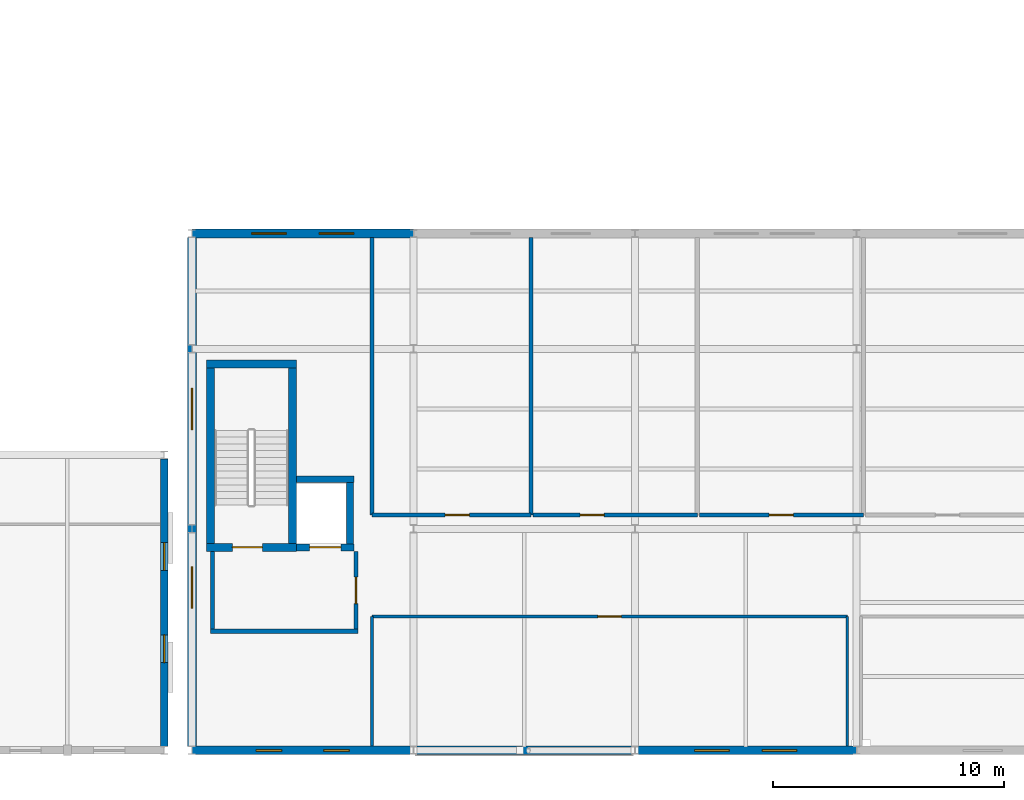
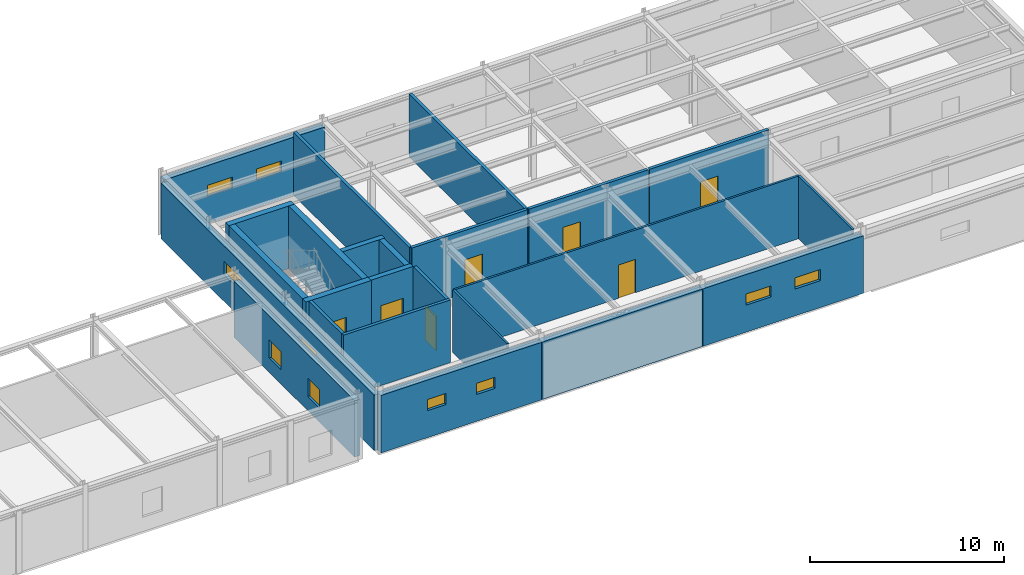
# One storey, part 88 of 99: 24 walls, 10 windows, 7 doors, 17 openings.
"""IFC4 building model written with IfcOpenShell, lengths in metres."""

from ifc_helpers import new_model, si_unit, direction, frame, frame_2d, origin, place, context, subcontext, project, spatial, rectangle, extrude, material, layer, layer_set, type_object, element, fill, save


model = new_model("IFC4")

# Units and contexts
model_context = context("Model", 3, precision=1e-05, world=origin(), true_north=direction((0.0, 1.0)))
body_context = subcontext(model_context, "Body", "Model", "MODEL_VIEW")
ifc_project = project(units=[si_unit("LENGTHUNIT", "METRE"), si_unit("AREAUNIT", "SQUARE_METRE"), si_unit("VOLUMEUNIT", "CUBIC_METRE"), si_unit("PLANEANGLEUNIT", "RADIAN"), si_unit("MASSUNIT", "GRAM", prefix="KILO")], contexts=[model_context])

# Site, building, storey
site_placement = place(None, origin())
site = spatial("IfcSite", under=ifc_project, at=site_placement, CompositionType="ELEMENT")
building_placement = place(site_placement, origin())
building = spatial("IfcBuilding", under=site, at=building_placement, Name="Nordkorset Police Headquarters", CompositionType="ELEMENT")
storey_placement = place(building_placement, frame((0.0, 0.0, 5.25)))
storey = spatial("IfcBuildingStorey", under=building, at=storey_placement, Name="L01", CompositionType="ELEMENT", Elevation=5.25)

# Walls
ifc_material_1 = material(Name="Gypsum board", Category="gypsum")
ifc_layer_1 = layer(ifc_material_1, 0.179931640625, Name="Gypsum board")
ifc_layer_set_1 = layer_set([ifc_layer_1], Name="Gypsum board")
wall_type_1 = type_object("IfcWallType", Name="Wall_Comp_180", PredefinedType="PARTITIONING", material=ifc_layer_set_1)
wall_1_placement = place(storey_placement, frame((127.199951171875, 5.159912109375, 0.0), z_axis=(0.0, 0.0, 1.0), x_axis=(1.0, 0.0, 0.0)))
element("IfcWall", 1, at=wall_1_placement, inside=storey, type_object=wall_type_1, Name="Firefighting Lobby EI 60 Wall K6 L01 S", PredefinedType="PARTITIONING", context=body_context, shape_type="SweptSolid", body=[
    extrude(rectangle(XDim=6.400146484375, YDim=0.179931640625, at=frame_2d((3.2001953125, 0.0))), origin(), (0.0, 0.0, 1.0), 3.9599609375),
])
wall_2_placement = place(storey_placement, frame((127.2900390625, 5.25, 0.0), z_axis=(0.0, 0.0, 1.0), x_axis=(0.0, 1.0, 0.0)))
element("IfcWall", 2, at=wall_2_placement, inside=storey, type_object=wall_type_1, Name="Firefighting Lobby EI 60 Wall K6 L01 W", PredefinedType="PARTITIONING", context=body_context, shape_type="SweptSolid", body=[
    extrude(rectangle(XDim=3.375, YDim=0.179931640625, at=frame_2d((1.6875, 0.0))), origin(), (0.0, 0.0, 1.0), 3.9599609375),
])

# Wall, opening, door
wall_3_placement = place(storey_placement, frame((133.510009765625, 5.25, 0.0), z_axis=(0.0, 0.0, 1.0), x_axis=(0.0, 1.0, 0.0)))
wall_3 = element("IfcWall", 3, at=wall_3_placement, inside=storey, type_object=wall_type_1, Name="Firefighting Lobby EI 60 Wall K6 L01 E", PredefinedType="PARTITIONING", context=body_context, shape_type="SweptSolid", body=[
    extrude(rectangle(XDim=3.375, YDim=0.179931640625, at=frame_2d((1.6875, 0.0))), origin(), (0.0, 0.0, 1.0), 3.9599609375),
])
opening_1_placement = place(wall_3_placement, frame((1.112548828125, 0.0, 0.0)))
opening_1 = element("IfcOpeningElement", 4, at=opening_1_placement, cuts=wall_3, Name="Opening DR-01", PredefinedType="OPENING", context=body_context, shape_type="SweptSolid", body=[
    extrude(rectangle(XDim=1.14990234375, YDim=2.14990234375, at=frame_2d((0.574951171875, 1.074951171875))), frame((0.0, 0.10009765625, 0.0), z_axis=(0.0, -1.0, 0.0), x_axis=(1.0, 0.0, 0.0)), (0.0, 0.0, 1.0), 0.199951171875),
])
ifc_material_2 = material(Name="Steel S355J2", Category="steel")
door_type_1 = type_object("IfcDoorType", Name="Door_LobbySingle_1150x2150", OperationType="NOTDEFINED", PredefinedType="DOOR", material=ifc_material_2)
door_1_placement = place(opening_1_placement, origin())
door_1 = element("IfcDoor", 5, at=door_1_placement, inside=storey, type_object=door_type_1, Name="Firefighting Lobby Smoke Door K6 L01 E", OperationType="SINGLE_SWING_LEFT", OverallHeight=2.14990234375, OverallWidth=1.14990234375, PredefinedType="DOOR", context=body_context, shape_type="SweptSolid", body=[
    extrude(rectangle(XDim=1.14990234375, YDim=2.14990234375, at=frame_2d((0.574951171875, 1.074951171875))), frame((0.0, 0.02490234375, 0.0), z_axis=(0.0, -1.0, 0.0), x_axis=(1.0, 0.0, 0.0)), (0.0, 0.0, 1.0), 0.050048828125),
])
fill(opening_1, door_1)

wall_4_placement = place(storey_placement, frame((134.199951171875, 10.199951171875, 0.0), z_axis=(0.0, 0.0, 1.0), x_axis=(1.0, 0.0, 0.0)))
wall_4 = element("IfcWall", 6, at=wall_4_placement, inside=storey, type_object=wall_type_1, Name="Interior Partition Wall Detention Cell 04", PredefinedType="PARTITIONING", context=body_context, shape_type="SweptSolid", body=[
    extrude(rectangle(XDim=6.900146484375, YDim=0.179931640625, at=frame_2d((3.4501953125, 0.0))), origin(), (0.0, 0.0, 1.0), 3.9599609375),
])
opening_2_placement = place(wall_4_placement, frame((3.175048828125, 0.0, 0.0)))
opening_2 = element("IfcOpeningElement", 7, at=opening_2_placement, cuts=wall_4, Name="Opening DR-24", PredefinedType="OPENING", context=body_context, shape_type="SweptSolid", body=[
    extrude(rectangle(XDim=1.050048828125, YDim=2.10009765625, at=frame_2d((0.52490234375, 1.050048828125))), frame((0.0, 0.10009765625, 0.0), z_axis=(0.0, -1.0, 0.0), x_axis=(1.0, 0.0, 0.0)), (0.0, 0.0, 1.0), 0.199951171875),
])
ifc_material_3 = material(Name="Steel S355J2", Category="steel")
door_type_2 = type_object("IfcDoorType", Name="Door_CustodyCell_1050x2100", OperationType="NOTDEFINED", PredefinedType="DOOR", material=ifc_material_3)
door_2_placement = place(opening_2_placement, frame((1.050048828125, 0.0, 0.0), z_axis=(0.0, 0.0, 1.0), x_axis=(-1.0, 0.0, 0.0)))
door_2 = element("IfcDoor", 8, at=door_2_placement, inside=storey, type_object=door_type_2, Name="Interior Door Detention Cell 04", OperationType="SINGLE_SWING_RIGHT", OverallHeight=2.10009765625, OverallWidth=1.050048828125, PredefinedType="DOOR", context=body_context, shape_type="SweptSolid", body=[
    extrude(rectangle(XDim=1.050048828125, YDim=2.10009765625, at=frame_2d((0.52490234375, 1.050048828125))), frame((0.0, 0.02490234375, 0.0), z_axis=(0.0, -1.0, 0.0), x_axis=(1.0, 0.0, 0.0)), (0.0, 0.0, 1.0), 0.050048828125),
])
fill(opening_2, door_2)

# Walls
for number, where, z_axis, x_axis, name in (
    (9, (141.10009765625, 10.199951171875, 0.0), (0.0, 0.0, 1.0), (0.0, 1.0, 0.0), "Interior Partition Wall Detention Cell 04"),
    (10, (134.199951171875, 22.215087890625, 0.0), (0.0, 0.0, 1.0), (0.0, -1.0, 0.0), "Interior Partition Wall Detention Cell 04"),
):
    element("IfcWall", number, at=place(storey_placement, frame(where, z_axis=z_axis, x_axis=x_axis)), inside=storey, type_object=wall_type_1, Name=name, PredefinedType="PARTITIONING", context=body_context, shape_type="SweptSolid", body=[
        extrude(rectangle(XDim=12.01513671875, YDim=0.179931640625, at=frame_2d((6.007568359375, 0.0))), origin(), (0.0, 0.0, 1.0), 3.9599609375),
    ])

# Wall, opening, door
wall_5_placement = place(storey_placement, frame((141.18505859375, 10.199951171875, 0.0), z_axis=(0.0, 0.0, 1.0), x_axis=(1.0, 0.0, 0.0)))
wall_5 = element("IfcWall", 11, at=wall_5_placement, inside=storey, type_object=wall_type_1, Name="Interior Partition Wall Detention Cell 05", PredefinedType="PARTITIONING", context=body_context, shape_type="SweptSolid", body=[
    extrude(rectangle(XDim=7.114990234375, YDim=0.179931640625, at=frame_2d((3.5576171875, 0.0))), origin(), (0.0, 0.0, 1.0), 3.9599609375),
])
opening_3_placement = place(wall_5_placement, frame((2.032470703125, 0.0, 0.0)))
opening_3 = element("IfcOpeningElement", 12, at=opening_3_placement, cuts=wall_5, Name="Opening DR-24", PredefinedType="OPENING", context=body_context, shape_type="SweptSolid", body=[
    extrude(rectangle(XDim=1.050048828125, YDim=2.10009765625, at=frame_2d((0.52490234375, 1.050048828125))), frame((0.0, 0.10009765625, 0.0), z_axis=(0.0, -1.0, 0.0), x_axis=(1.0, 0.0, 0.0)), (0.0, 0.0, 1.0), 0.199951171875),
])
door_3_placement = place(opening_3_placement, origin())
door_3 = element("IfcDoor", 13, at=door_3_placement, inside=storey, type_object=door_type_2, Name="Interior Door Detention Cell 05", OperationType="SINGLE_SWING_LEFT", OverallHeight=2.10009765625, OverallWidth=1.050048828125, PredefinedType="DOOR", context=body_context, shape_type="SweptSolid", body=[
    extrude(rectangle(XDim=1.050048828125, YDim=2.10009765625, at=frame_2d((0.52490234375, 1.050048828125))), frame((0.0, 0.02490234375, 0.0), z_axis=(0.0, -1.0, 0.0), x_axis=(1.0, 0.0, 0.0)), (0.0, 0.0, 1.0), 0.050048828125),
])
fill(opening_3, door_3)

wall_6_placement = place(storey_placement, frame((148.385009765625, 10.199951171875, 0.0), z_axis=(0.0, 0.0, 1.0), x_axis=(1.0, 0.0, 0.0)))
wall_6 = element("IfcWall", 14, at=wall_6_placement, inside=storey, type_object=wall_type_1, Name="Interior Partition Wall Detention Cell 06", PredefinedType="PARTITIONING", context=body_context, shape_type="SweptSolid", body=[
    extrude(rectangle(XDim=7.114990234375, YDim=0.179931640625, at=frame_2d((3.5576171875, 0.0))), origin(), (0.0, 0.0, 1.0), 3.9599609375),
])
opening_4_placement = place(wall_6_placement, frame((3.032470703125, 0.0, 0.0)))
opening_4 = element("IfcOpeningElement", 15, at=opening_4_placement, cuts=wall_6, Name="Opening DR-24", PredefinedType="OPENING", context=body_context, shape_type="SweptSolid", body=[
    extrude(rectangle(XDim=1.050048828125, YDim=2.10009765625, at=frame_2d((0.52490234375, 1.050048828125))), frame((0.0, 0.10009765625, 0.0), z_axis=(0.0, -1.0, 0.0), x_axis=(1.0, 0.0, 0.0)), (0.0, 0.0, 1.0), 0.199951171875),
])
door_4_placement = place(opening_4_placement, frame((1.050048828125, 0.0, 0.0), z_axis=(0.0, 0.0, 1.0), x_axis=(-1.0, 0.0, 0.0)))
door_4 = element("IfcDoor", 16, at=door_4_placement, inside=storey, type_object=door_type_2, Name="Interior Door Detention Cell 06", OperationType="SINGLE_SWING_RIGHT", OverallHeight=2.10009765625, OverallWidth=1.050048828125, PredefinedType="DOOR", context=body_context, shape_type="SweptSolid", body=[
    extrude(rectangle(XDim=1.050048828125, YDim=2.10009765625, at=frame_2d((0.52490234375, 1.050048828125))), frame((0.0, 0.02490234375, 0.0), z_axis=(0.0, -1.0, 0.0), x_axis=(1.0, 0.0, 0.0)), (0.0, 0.0, 1.0), 0.050048828125),
])
fill(opening_4, door_4)

ifc_material_4 = material(Name="Concrete C35/45", Category="concrete")
ifc_layer_2 = layer(ifc_material_4, 0.35009765625, Name="Concrete C35/45")
ifc_layer_set_2 = layer_set([ifc_layer_2], Name="Concrete C35/45")
wall_type_2 = type_object("IfcWallType", Name="Wall_CoreShear_350", PredefinedType="SHEAR", material=ifc_layer_set_2)
wall_7_placement = place(storey_placement, frame((127.02490234375, 8.800048828125, 0.0), z_axis=(0.0, 0.0, 1.0), x_axis=(1.0, 0.0, 0.0)))
wall_7 = element("IfcWall", 17, at=wall_7_placement, inside=storey, type_object=wall_type_2, Name="Core K6 Stair Shaft South Shear Wall L01", PredefinedType="SHEAR", context=body_context, shape_type="SweptSolid", body=[
    extrude(rectangle(XDim=3.900146484375, YDim=0.35009765625, at=frame_2d((1.9501953125, 0.0))), origin(), (0.0, 0.0, 1.0), 3.9599609375),
])
opening_5_placement = place(wall_7_placement, frame((1.125, 0.0, 0.0)))
opening_5 = element("IfcOpeningElement", 18, at=opening_5_placement, cuts=wall_7, Name="Opening DR-20", PredefinedType="OPENING", context=body_context, shape_type="SweptSolid", body=[
    extrude(rectangle(XDim=1.300048828125, YDim=2.14990234375, at=frame_2d((0.64990234375, 1.074951171875))), frame((0.0, 0.18505859375, 0.0), z_axis=(0.0, -1.0, 0.0), x_axis=(1.0, 0.0, 0.0)), (0.0, 0.0, 1.0), 0.3701171875),
])
ifc_material_5 = material(Name="Steel S355J2", Category="steel")
door_type_3 = type_object("IfcDoorType", Name="Door_Stair_1300x2150", OperationType="NOTDEFINED", PredefinedType="DOOR", material=ifc_material_5)
door_5_placement = place(opening_5_placement, frame((1.300048828125, 0.0, 0.0), z_axis=(0.0, 0.0, 1.0), x_axis=(-1.0, 0.0, 0.0)))
door_5 = element("IfcDoor", 19, at=door_5_placement, inside=storey, type_object=door_type_3, Name="Protected Stair Fire Door ST-06 L01", OperationType="SINGLE_SWING_RIGHT", OverallHeight=2.14990234375, OverallWidth=1.300048828125, PredefinedType="DOOR", context=body_context, shape_type="SweptSolid", body=[
    extrude(rectangle(XDim=1.300048828125, YDim=2.14990234375, at=frame_2d((0.64990234375, 1.074951171875))), frame((0.0, 0.02490234375, 0.0), z_axis=(0.0, -1.0, 0.0), x_axis=(1.0, 0.0, 0.0)), (0.0, 0.0, 1.0), 0.050048828125),
])
fill(opening_5, door_5)

# Walls
wall_8_placement = place(storey_placement, frame((127.02490234375, 16.75, 0.0), z_axis=(0.0, 0.0, 1.0), x_axis=(1.0, 0.0, 0.0)))
element("IfcWall", 20, at=wall_8_placement, inside=storey, type_object=wall_type_2, Name="Core K6 Stair Shaft North Shear Wall L01", PredefinedType="SHEAR", context=body_context, shape_type="SweptSolid", body=[
    extrude(rectangle(XDim=3.900146484375, YDim=0.35009765625, at=frame_2d((1.9501953125, 0.0))), origin(), (0.0, 0.0, 1.0), 3.9599609375),
])
for number, where, z_axis, x_axis, name in (
    (21, (127.199951171875, 8.97509765625, 0.0), (0.0, 0.0, 1.0), (0.0, 1.0, 0.0), "Core K6 Stair Shaft West Shear Wall L01"),
    (22, (130.75, 8.97509765625, 0.0), (0.0, 0.0, 1.0), (0.0, 1.0, 0.0), "Core K6 Stair Shaft East Shear Wall L01"),
):
    element("IfcWall", number, at=place(storey_placement, frame(where, z_axis=z_axis, x_axis=x_axis)), inside=storey, type_object=wall_type_2, Name=name, PredefinedType="SHEAR", context=body_context, shape_type="SweptSolid", body=[
        extrude(rectangle(XDim=7.599853515625, YDim=0.35009765625, at=frame_2d((3.7998046875, 0.0))), origin(), (0.0, 0.0, 1.0), 3.9599609375),
    ])

# Wall, openings, windows
ifc_material_6 = material(Name="Precast concrete C40/50", Category="concrete")
ifc_layer_3 = layer(ifc_material_6, 0.3798828125, Name="Precast concrete C40/50")
ifc_layer_set_3 = layer_set([ifc_layer_3], Name="Precast concrete C40/50")
wall_type_3 = type_object("IfcWallType", Name="Wall_ExtCustody_380", PredefinedType="SOLIDWALL", material=ifc_layer_set_3)
wall_9_placement = place(storey_placement, frame((126.407958984375, 0.0, 0.0), z_axis=(0.0, 0.0, 1.0), x_axis=(1.0, 0.0, 0.0)))
wall_9 = element("IfcWall", 23, at=wall_9_placement, inside=storey, type_object=wall_type_3, Name="Exterior Insulated Precast Wall L01 V6S-0", PredefinedType="SOLIDWALL", context=body_context, shape_type="SweptSolid", body=[
    extrude(rectangle(XDim=9.583984375, YDim=0.3798828125, at=frame_2d((4.7919921875, 0.0))), origin(), (0.0, 0.0, 1.0), 3.6298828125),
])
opening_6_placement = place(wall_9_placement, frame((2.775390625, 0.0, 1.699951171875)))
opening_6 = element("IfcOpeningElement", 24, at=opening_6_placement, cuts=wall_9, Name="Opening WN-11", PredefinedType="OPENING", context=body_context, shape_type="SweptSolid", body=[
    extrude(rectangle(XDim=1.10009765625, YDim=0.699951171875, at=frame_2d((0.550048828125, 0.35009765625))), frame((0.0, 0.199951171875, 0.0), z_axis=(0.0, -1.0, 0.0), x_axis=(1.0, 0.0, 0.0)), (0.0, 0.0, 1.0), 0.39990234375),
])
opening_7_placement = place(wall_9_placement, frame((5.708740234375, 0.0, 1.699951171875)))
opening_7 = element("IfcOpeningElement", 25, at=opening_7_placement, cuts=wall_9, Name="Opening WN-11", PredefinedType="OPENING", context=body_context, shape_type="SweptSolid", body=[
    extrude(rectangle(XDim=1.10009765625, YDim=0.699951171875, at=frame_2d((0.550048828125, 0.35009765625))), frame((0.0, 0.199951171875, 0.0), z_axis=(0.0, -1.0, 0.0), x_axis=(1.0, 0.0, 0.0)), (0.0, 0.0, 1.0), 0.39990234375),
])
ifc_material_7 = material(Name="Low-iron triple glazing", Category="glass")
window_type_1 = type_object("IfcWindowType", Name="Win_1100x700", PartitioningType="SINGLE_PANEL", PredefinedType="WINDOW", material=ifc_material_7)
window_1_placement = place(opening_6_placement, origin())
window_1 = element("IfcWindow", 26, at=window_1_placement, inside=storey, type_object=window_type_1, Name="Triple-Glazed Exterior Window L01 V6S-0-1", OverallHeight=0.699951171875, OverallWidth=1.10009765625, PartitioningType="SINGLE_PANEL", PredefinedType="WINDOW", context=body_context, shape_type="SweptSolid", body=[
    extrude(rectangle(XDim=1.10009765625, YDim=0.699951171875, at=frame_2d((0.550048828125, 0.35009765625))), frame((0.0, 0.030029296875, 0.0), z_axis=(0.0, -1.0, 0.0), x_axis=(1.0, 0.0, 0.0)), (0.0, 0.0, 1.0), 0.06005859375),
])
fill(opening_6, window_1)
window_2_placement = place(opening_7_placement, origin())
window_2 = element("IfcWindow", 27, at=window_2_placement, inside=storey, type_object=window_type_1, Name="Triple-Glazed Exterior Window L01 V6S-0-2", OverallHeight=0.699951171875, OverallWidth=1.10009765625, PartitioningType="SINGLE_PANEL", PredefinedType="WINDOW", context=body_context, shape_type="SweptSolid", body=[
    extrude(rectangle(XDim=1.10009765625, YDim=0.699951171875, at=frame_2d((0.550048828125, 0.35009765625))), frame((0.0, 0.030029296875, 0.0), z_axis=(0.0, -1.0, 0.0), x_axis=(1.0, 0.0, 0.0)), (0.0, 0.0, 1.0), 0.06005859375),
])
fill(opening_7, window_2)

wall_10_placement = place(storey_placement, frame((126.407958984375, 22.39990234375, 0.0), z_axis=(0.0, 0.0, 1.0), x_axis=(1.0, 0.0, 0.0)))
wall_10 = element("IfcWall", 28, at=wall_10_placement, inside=storey, type_object=wall_type_3, Name="Exterior Insulated Precast Wall L01 V6N-0", PredefinedType="SOLIDWALL", context=body_context, shape_type="SweptSolid", body=[
    extrude(rectangle(XDim=9.583984375, YDim=0.3798828125, at=frame_2d((4.7919921875, 0.0))), origin(), (0.0, 0.0, 1.0), 3.635009765625),
])
opening_8_placement = place(wall_10_placement, frame((2.5751953125, 0.0, 1.699951171875)))
opening_8 = element("IfcOpeningElement", 29, at=opening_8_placement, cuts=wall_10, Name="Opening WN-25", PredefinedType="OPENING", context=body_context, shape_type="SweptSolid", body=[
    extrude(rectangle(XDim=1.5, YDim=0.699951171875, at=frame_2d((0.75, 0.35009765625))), frame((0.0, 0.199951171875, 0.0), z_axis=(0.0, -1.0, 0.0), x_axis=(1.0, 0.0, 0.0)), (0.0, 0.0, 1.0), 0.39990234375),
])
opening_9_placement = place(wall_10_placement, frame((5.5087890625, 0.0, 1.699951171875)))
opening_9 = element("IfcOpeningElement", 30, at=opening_9_placement, cuts=wall_10, Name="Opening WN-25", PredefinedType="OPENING", context=body_context, shape_type="SweptSolid", body=[
    extrude(rectangle(XDim=1.5, YDim=0.699951171875, at=frame_2d((0.75, 0.35009765625))), frame((0.0, 0.199951171875, 0.0), z_axis=(0.0, -1.0, 0.0), x_axis=(1.0, 0.0, 0.0)), (0.0, 0.0, 1.0), 0.39990234375),
])
ifc_material_8 = material(Name="Low-iron triple glazing", Category="glass")
window_type_2 = type_object("IfcWindowType", Name="Win_1500x700", PartitioningType="SINGLE_PANEL", PredefinedType="WINDOW", material=ifc_material_8)
window_3_placement = place(opening_8_placement, origin())
window_3 = element("IfcWindow", 31, at=window_3_placement, inside=storey, type_object=window_type_2, Name="Triple-Glazed Exterior Window L01 V6N-0-1", OverallHeight=0.699951171875, OverallWidth=1.5, PartitioningType="SINGLE_PANEL", PredefinedType="WINDOW", context=body_context, shape_type="SweptSolid", body=[
    extrude(rectangle(XDim=1.5, YDim=0.699951171875, at=frame_2d((0.75, 0.35009765625))), frame((0.0, 0.030029296875, 0.0), z_axis=(0.0, -1.0, 0.0), x_axis=(1.0, 0.0, 0.0)), (0.0, 0.0, 1.0), 0.06005859375),
])
fill(opening_8, window_3)
window_4_placement = place(opening_9_placement, origin())
window_4 = element("IfcWindow", 32, at=window_4_placement, inside=storey, type_object=window_type_2, Name="Triple-Glazed Exterior Window L01 V6N-0-2", OverallHeight=0.699951171875, OverallWidth=1.5, PartitioningType="SINGLE_PANEL", PredefinedType="WINDOW", context=body_context, shape_type="SweptSolid", body=[
    extrude(rectangle(XDim=1.5, YDim=0.699951171875, at=frame_2d((0.75, 0.35009765625))), frame((0.0, 0.030029296875, 0.0), z_axis=(0.0, -1.0, 0.0), x_axis=(1.0, 0.0, 0.0)), (0.0, 0.0, 1.0), 0.06005859375),
])
fill(opening_9, window_4)

# Wall
wall_11_placement = place(storey_placement, frame((136.008056640625, 0.0, 0.0), z_axis=(0.0, 0.0, 1.0), x_axis=(1.0, 0.0, 0.0)))
element("IfcWall", 33, at=wall_11_placement, inside=storey, type_object=wall_type_3, Name="Exterior Insulated Precast Wall L01 V6S-1", PredefinedType="SOLIDWALL", context=body_context, shape_type="SweptSolid", body=[
    extrude(rectangle(XDim=9.583984375, YDim=0.3798828125, at=frame_2d((4.7919921875, 0.0))), origin(), (0.0, 0.0, 1.0), 3.6298828125),
])

# Wall, openings, windows
wall_12_placement = place(storey_placement, frame((145.60791015625, 0.0, 0.0), z_axis=(0.0, 0.0, 1.0), x_axis=(1.0, 0.0, 0.0)))
wall_12 = element("IfcWall", 34, at=wall_12_placement, inside=storey, type_object=wall_type_3, Name="Exterior Insulated Precast Wall L01 V6S-2", PredefinedType="SOLIDWALL", context=body_context, shape_type="SweptSolid", body=[
    extrude(rectangle(XDim=9.583984375, YDim=0.3798828125, at=frame_2d((4.7919921875, 0.0))), origin(), (0.0, 0.0, 1.0), 3.6298828125),
])
opening_10_placement = place(wall_12_placement, frame((2.5751953125, 0.0, 1.699951171875)))
opening_10 = element("IfcOpeningElement", 35, at=opening_10_placement, cuts=wall_12, Name="Opening WN-25", PredefinedType="OPENING", context=body_context, shape_type="SweptSolid", body=[
    extrude(rectangle(XDim=1.5, YDim=0.699951171875, at=frame_2d((0.75, 0.35009765625))), frame((0.0, 0.199951171875, 0.0), z_axis=(0.0, -1.0, 0.0), x_axis=(1.0, 0.0, 0.0)), (0.0, 0.0, 1.0), 0.39990234375),
])
opening_11_placement = place(wall_12_placement, frame((5.5087890625, 0.0, 1.699951171875)))
opening_11 = element("IfcOpeningElement", 36, at=opening_11_placement, cuts=wall_12, Name="Opening WN-25", PredefinedType="OPENING", context=body_context, shape_type="SweptSolid", body=[
    extrude(rectangle(XDim=1.5, YDim=0.699951171875, at=frame_2d((0.75, 0.35009765625))), frame((0.0, 0.199951171875, 0.0), z_axis=(0.0, -1.0, 0.0), x_axis=(1.0, 0.0, 0.0)), (0.0, 0.0, 1.0), 0.39990234375),
])
window_5_placement = place(opening_10_placement, origin())
window_5 = element("IfcWindow", 37, at=window_5_placement, inside=storey, type_object=window_type_2, Name="Triple-Glazed Exterior Window L01 V6S-2-1", OverallHeight=0.699951171875, OverallWidth=1.5, PartitioningType="SINGLE_PANEL", PredefinedType="WINDOW", context=body_context, shape_type="SweptSolid", body=[
    extrude(rectangle(XDim=1.5, YDim=0.699951171875, at=frame_2d((0.75, 0.35009765625))), frame((0.0, 0.030029296875, 0.0), z_axis=(0.0, -1.0, 0.0), x_axis=(1.0, 0.0, 0.0)), (0.0, 0.0, 1.0), 0.06005859375),
])
fill(opening_10, window_5)
window_6_placement = place(opening_11_placement, origin())
window_6 = element("IfcWindow", 38, at=window_6_placement, inside=storey, type_object=window_type_2, Name="Triple-Glazed Exterior Window L01 V6S-2-2", OverallHeight=0.699951171875, OverallWidth=1.5, PartitioningType="SINGLE_PANEL", PredefinedType="WINDOW", context=body_context, shape_type="SweptSolid", body=[
    extrude(rectangle(XDim=1.5, YDim=0.699951171875, at=frame_2d((0.75, 0.35009765625))), frame((0.0, 0.030029296875, 0.0), z_axis=(0.0, -1.0, 0.0), x_axis=(1.0, 0.0, 0.0)), (0.0, 0.0, 1.0), 0.06005859375),
])
fill(opening_11, window_6)

wall_13_placement = place(storey_placement, frame((126.39990234375, 0.172119140625, 0.0), z_axis=(0.0, 0.0, 1.0), x_axis=(0.0, 1.0, 0.0)))
wall_13 = element("IfcWall", 39, at=wall_13_placement, inside=storey, type_object=wall_type_3, Name="Exterior Insulated Precast Wall L01 V6W-0", PredefinedType="SOLIDWALL", context=body_context, shape_type="SweptSolid", body=[
    extrude(rectangle(XDim=22.055908203125, YDim=0.3798828125, at=frame_2d((11.02783203125, 0.0))), origin(), (0.0, 0.0, 1.0), 3.5),
])
opening_12_placement = place(wall_13_placement, frame((5.97802734375, 0.0, 1.699951171875)))
opening_12 = element("IfcOpeningElement", 40, at=opening_12_placement, cuts=wall_13, Name="Opening WN-44", PredefinedType="OPENING", context=body_context, shape_type="SweptSolid", body=[
    extrude(rectangle(XDim=1.800048828125, YDim=0.85009765625, at=frame_2d((0.89990234375, 0.425048828125))), frame((0.0, 0.199951171875, 0.0), z_axis=(0.0, -1.0, 0.0), x_axis=(1.0, 0.0, 0.0)), (0.0, 0.0, 1.0), 0.39990234375),
])
opening_13_placement = place(wall_13_placement, frame((13.72802734375, 0.0, 1.699951171875)))
opening_13 = element("IfcOpeningElement", 41, at=opening_13_placement, cuts=wall_13, Name="Opening WN-44", PredefinedType="OPENING", context=body_context, shape_type="SweptSolid", body=[
    extrude(rectangle(XDim=1.800048828125, YDim=0.85009765625, at=frame_2d((0.89990234375, 0.425048828125))), frame((0.0, 0.199951171875, 0.0), z_axis=(0.0, -1.0, 0.0), x_axis=(1.0, 0.0, 0.0)), (0.0, 0.0, 1.0), 0.39990234375),
])
ifc_material_9 = material(Name="Low-iron triple glazing", Category="glass")
window_type_3 = type_object("IfcWindowType", Name="Win_1800x850", PartitioningType="SINGLE_PANEL", PredefinedType="WINDOW", material=ifc_material_9)
window_7_placement = place(opening_12_placement, origin())
window_7 = element("IfcWindow", 42, at=window_7_placement, inside=storey, type_object=window_type_3, Name="Triple-Glazed Exterior Window L01 V6W-0-1", OverallHeight=0.85009765625, OverallWidth=1.800048828125, PartitioningType="SINGLE_PANEL", PredefinedType="WINDOW", context=body_context, shape_type="SweptSolid", body=[
    extrude(rectangle(XDim=1.800048828125, YDim=0.85009765625, at=frame_2d((0.89990234375, 0.425048828125))), frame((0.0, 0.030029296875, 0.0), z_axis=(0.0, -1.0, 0.0), x_axis=(1.0, 0.0, 0.0)), (0.0, 0.0, 1.0), 0.06005859375),
])
fill(opening_12, window_7)
window_8_placement = place(opening_13_placement, origin())
window_8 = element("IfcWindow", 43, at=window_8_placement, inside=storey, type_object=window_type_3, Name="Triple-Glazed Exterior Window L01 V6W-0-2", OverallHeight=0.85009765625, OverallWidth=1.800048828125, PartitioningType="SINGLE_PANEL", PredefinedType="WINDOW", context=body_context, shape_type="SweptSolid", body=[
    extrude(rectangle(XDim=1.800048828125, YDim=0.85009765625, at=frame_2d((0.89990234375, 0.425048828125))), frame((0.0, 0.030029296875, 0.0), z_axis=(0.0, -1.0, 0.0), x_axis=(1.0, 0.0, 0.0)), (0.0, 0.0, 1.0), 0.06005859375),
])
fill(opening_13, window_8)

ifc_material_10 = material(Name="Precast concrete C40/50", Category="concrete")
ifc_layer_4 = layer(ifc_material_10, 0.320068359375, Name="Precast concrete C40/50")
ifc_layer_set_4 = layer_set([ifc_layer_4], Name="Precast concrete C40/50")
wall_type_4 = type_object("IfcWallType", Name="Wall_ExtPlinth_320", PredefinedType="SOLIDWALL", material=ifc_layer_set_4)
wall_14_placement = place(storey_placement, frame((125.199951171875, 0.172119140625, 0.0), z_axis=(0.0, 0.0, 1.0), x_axis=(0.0, 1.0, 0.0)))
wall_14 = element("IfcWall", 44, at=wall_14_placement, inside=storey, type_object=wall_type_4, Name="Exterior Insulated Precast Wall L01 V7-EASTEND", PredefinedType="SOLIDWALL", context=body_context, shape_type="SweptSolid", body=[
    extrude(rectangle(XDim=12.455810546875, YDim=0.320068359375, at=frame_2d((6.22802734375, 0.0))), origin(), (0.0, 0.0, 1.0), 3.554931640625),
])
opening_14_placement = place(wall_14_placement, frame((3.6279296875, 0.0, 0.89990234375)))
opening_14 = element("IfcOpeningElement", 45, at=opening_14_placement, cuts=wall_14, Name="Opening WN-19", PredefinedType="OPENING", context=body_context, shape_type="SweptSolid", body=[
    extrude(rectangle(XDim=1.199951171875, YDim=1.14990234375, at=frame_2d((0.60009765625, 0.574951171875))), frame((0.0, 0.169921875, 0.0), z_axis=(0.0, -1.0, 0.0), x_axis=(1.0, 0.0, 0.0)), (0.0, 0.0, 1.0), 0.340087890625),
])
opening_15_placement = place(wall_14_placement, frame((7.6279296875, 0.0, 0.89990234375)))
opening_15 = element("IfcOpeningElement", 46, at=opening_15_placement, cuts=wall_14, Name="Opening WN-19", PredefinedType="OPENING", context=body_context, shape_type="SweptSolid", body=[
    extrude(rectangle(XDim=1.199951171875, YDim=1.14990234375, at=frame_2d((0.60009765625, 0.574951171875))), frame((0.0, 0.169921875, 0.0), z_axis=(0.0, -1.0, 0.0), x_axis=(1.0, 0.0, 0.0)), (0.0, 0.0, 1.0), 0.340087890625),
])
ifc_material_11 = material(Name="Low-iron triple glazing", Category="glass")
window_type_4 = type_object("IfcWindowType", Name="Win_1200x1150", PartitioningType="SINGLE_PANEL", PredefinedType="WINDOW", material=ifc_material_11)
window_9_placement = place(opening_14_placement, origin())
window_9 = element("IfcWindow", 47, at=window_9_placement, inside=storey, type_object=window_type_4, Name="Triple-Glazed Exterior Window L01 V7-EASTEND-1", OverallHeight=1.14990234375, OverallWidth=1.199951171875, PartitioningType="SINGLE_PANEL", PredefinedType="WINDOW", context=body_context, shape_type="SweptSolid", body=[
    extrude(rectangle(XDim=1.199951171875, YDim=1.14990234375, at=frame_2d((0.60009765625, 0.574951171875))), frame((0.0, 0.030029296875, 0.0), z_axis=(0.0, -1.0, 0.0), x_axis=(1.0, 0.0, 0.0)), (0.0, 0.0, 1.0), 0.06005859375),
])
fill(opening_14, window_9)
window_10_placement = place(opening_15_placement, origin())
window_10 = element("IfcWindow", 48, at=window_10_placement, inside=storey, type_object=window_type_4, Name="Triple-Glazed Exterior Window L01 V7-EASTEND-2", OverallHeight=1.14990234375, OverallWidth=1.199951171875, PartitioningType="SINGLE_PANEL", PredefinedType="WINDOW", context=body_context, shape_type="SweptSolid", body=[
    extrude(rectangle(XDim=1.199951171875, YDim=1.14990234375, at=frame_2d((0.60009765625, 0.574951171875))), frame((0.0, 0.030029296875, 0.0), z_axis=(0.0, -1.0, 0.0), x_axis=(1.0, 0.0, 0.0)), (0.0, 0.0, 1.0), 0.06005859375),
])
fill(opening_15, window_10)

# Wall
ifc_material_12 = material(Name="Gypsum board", Category="gypsum")
ifc_layer_5 = layer(ifc_material_12, 0.1201171875, Name="Gypsum board")
ifc_layer_set_5 = layer_set([ifc_layer_5], Name="Gypsum board")
wall_type_5 = type_object("IfcWallType", Name="Wall_Part_120", PredefinedType="PARTITIONING", material=ifc_layer_set_5)
wall_15_placement = place(storey_placement, frame((154.800048828125, 0.18505859375, 0.0), z_axis=(0.0, 0.0, 1.0), x_axis=(0.0, 1.0, 0.0)))
element("IfcWall", 49, at=wall_15_placement, inside=storey, type_object=wall_type_5, Name="Interior Partition Wall Custody Sergeant Observation Hub", PredefinedType="PARTITIONING", context=body_context, shape_type="SweptSolid", body=[
    extrude(rectangle(XDim=5.614990234375, YDim=0.1201171875, at=frame_2d((2.8076171875, 0.0))), origin(), (0.0, 0.0, 1.0), 3.9599609375),
])

# Wall, opening, door
wall_16_placement = place(storey_placement, frame((154.800048828125, 5.800048828125, 0.0), z_axis=(0.0, 0.0, 1.0), x_axis=(-1.0, 0.0, 0.0)))
wall_16 = element("IfcWall", 50, at=wall_16_placement, inside=storey, type_object=wall_type_5, Name="Interior Partition Wall Custody Sergeant Observation Hub", PredefinedType="PARTITIONING", context=body_context, shape_type="SweptSolid", body=[
    extrude(rectangle(XDim=20.60009765625, YDim=0.1201171875, at=frame_2d((10.300048828125, 0.0))), origin(), (0.0, 0.0, 1.0), 3.9599609375),
])
opening_16_placement = place(wall_16_placement, frame((9.7900390625, 0.0, 0.0)))
opening_16 = element("IfcOpeningElement", 51, at=opening_16_placement, cuts=wall_16, Name="Opening DR-19", PredefinedType="OPENING", context=body_context, shape_type="SweptSolid", body=[
    extrude(rectangle(XDim=1.02001953125, YDim=2.10009765625, at=frame_2d((0.510009765625, 1.050048828125))), frame((0.0, 0.070068359375, 0.0), z_axis=(0.0, -1.0, 0.0), x_axis=(1.0, 0.0, 0.0)), (0.0, 0.0, 1.0), 0.14013671875),
])
ifc_material_13 = material(Name="Glulam GL30c", Category="wood")
door_type_4 = type_object("IfcDoorType", Name="Door_Office_1020x2100", OperationType="NOTDEFINED", PredefinedType="DOOR", material=ifc_material_13)
door_6_placement = place(opening_16_placement, origin())
door_6 = element("IfcDoor", 52, at=door_6_placement, inside=storey, type_object=door_type_4, Name="Interior Door Custody Sergeant Observation Hub", OperationType="SINGLE_SWING_LEFT", OverallHeight=2.10009765625, OverallWidth=1.02001953125, PredefinedType="DOOR", context=body_context, shape_type="SweptSolid", body=[
    extrude(rectangle(XDim=1.02001953125, YDim=2.10009765625, at=frame_2d((0.510009765625, 1.050048828125))), frame((0.0, 0.02490234375, 0.0), z_axis=(0.0, -1.0, 0.0), x_axis=(1.0, 0.0, 0.0)), (0.0, 0.0, 1.0), 0.050048828125),
])
fill(opening_16, door_6)

# Wall
wall_17_placement = place(storey_placement, frame((134.199951171875, 5.800048828125, 0.0), z_axis=(0.0, 0.0, 1.0), x_axis=(0.0, -1.0, 0.0)))
element("IfcWall", 53, at=wall_17_placement, inside=storey, type_object=wall_type_5, Name="Interior Partition Wall Custody Sergeant Observation Hub", PredefinedType="PARTITIONING", context=body_context, shape_type="SweptSolid", body=[
    extrude(rectangle(XDim=5.614990234375, YDim=0.1201171875, at=frame_2d((2.8076171875, 0.0))), origin(), (0.0, 0.0, 1.0), 3.9599609375),
])

# Wall, opening, door
ifc_material_14 = material(Name="Concrete C35/45", Category="concrete")
ifc_layer_6 = layer(ifc_material_14, 0.300048828125, Name="Concrete C35/45")
ifc_layer_set_6 = layer_set([ifc_layer_6], Name="Concrete C35/45")
wall_type_6 = type_object("IfcWallType", Name="Wall_ShaftShear_300", PredefinedType="SHEAR", material=ifc_layer_set_6)
wall_18_placement = place(storey_placement, frame((130.925048828125, 8.800048828125, 0.0), z_axis=(0.0, 0.0, 1.0), x_axis=(1.0, 0.0, 0.0)))
wall_18 = element("IfcWall", 54, at=wall_18_placement, inside=storey, type_object=wall_type_6, Name="Lift Shaft LF-08 Front Shear Wall L01", PredefinedType="SHEAR", context=body_context, shape_type="SweptSolid", body=[
    extrude(rectangle(XDim=2.5, YDim=0.300048828125, at=frame_2d((1.25, 0.0))), origin(), (0.0, 0.0, 1.0), 3.9599609375),
])
opening_17_placement = place(wall_18_placement, frame((0.574951171875, 0.0, 0.0)))
opening_17 = element("IfcOpeningElement", 55, at=opening_17_placement, cuts=wall_18, Name="Opening LD-08", PredefinedType="OPENING", context=body_context, shape_type="SweptSolid", body=[
    extrude(rectangle(XDim=1.35009765625, YDim=2.14990234375, at=frame_2d((0.675048828125, 1.074951171875))), frame((0.0, 0.16015625, 0.0), z_axis=(0.0, -1.0, 0.0), x_axis=(1.0, 0.0, 0.0)), (0.0, 0.0, 1.0), 0.320068359375),
])
ifc_material_15 = material(Name="Steel S355J2", Category="steel")
door_type_5 = type_object("IfcDoorType", Name="Door_LiftGoods_1350x2150", OperationType="SLIDING_TO_RIGHT", PredefinedType="DOOR", material=ifc_material_15)
door_7_placement = place(opening_17_placement, frame((1.35009765625, 0.0, 0.0), z_axis=(0.0, 0.0, 1.0), x_axis=(-1.0, 0.0, 0.0)))
door_7 = element("IfcDoor", 56, at=door_7_placement, inside=storey, type_object=door_type_5, Name="Lift Landing Sliding Door LF-08 L01", OperationType="SLIDING_TO_RIGHT", OverallHeight=2.14990234375, OverallWidth=1.35009765625, PredefinedType="DOOR", context=body_context, shape_type="SweptSolid", body=[
    extrude(rectangle(XDim=1.35009765625, YDim=2.14990234375, at=frame_2d((0.675048828125, 1.074951171875))), frame((0.0, 0.02490234375, 0.0), z_axis=(0.0, -1.0, 0.0), x_axis=(1.0, 0.0, 0.0)), (0.0, 0.0, 1.0), 0.050048828125),
])
fill(opening_17, door_7)

# Walls
wall_19_placement = place(storey_placement, frame((130.925048828125, 11.75, 0.0), z_axis=(0.0, 0.0, 1.0), x_axis=(1.0, 0.0, 0.0)))
element("IfcWall", 57, at=wall_19_placement, inside=storey, type_object=wall_type_6, Name="Lift Shaft LF-08 Rear Shear Wall L01", PredefinedType="SHEAR", context=body_context, shape_type="SweptSolid", body=[
    extrude(rectangle(XDim=2.5, YDim=0.300048828125, at=frame_2d((1.25, 0.0))), origin(), (0.0, 0.0, 1.0), 3.9599609375),
])
wall_20_placement = place(storey_placement, frame((133.25, 8.949951171875, 0.0), z_axis=(0.0, 0.0, 1.0), x_axis=(0.0, 1.0, 0.0)))
element("IfcWall", 58, at=wall_20_placement, inside=storey, type_object=wall_type_6, Name="Lift Shaft LF-08 East Shear Wall L01", PredefinedType="SHEAR", context=body_context, shape_type="SweptSolid", body=[
    extrude(rectangle(XDim=2.650146484375, YDim=0.300048828125, at=frame_2d((1.3251953125, 0.0))), origin(), (0.0, 0.0, 1.0), 3.9599609375),
])

save(model, "model.ifc")
